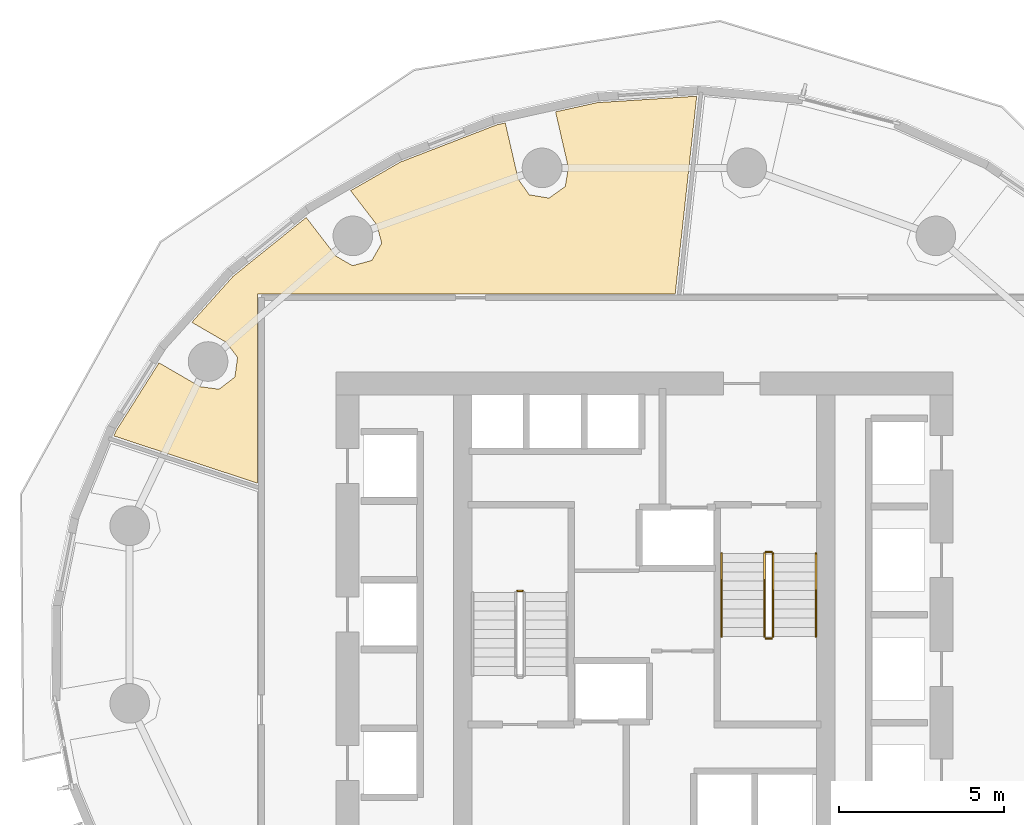
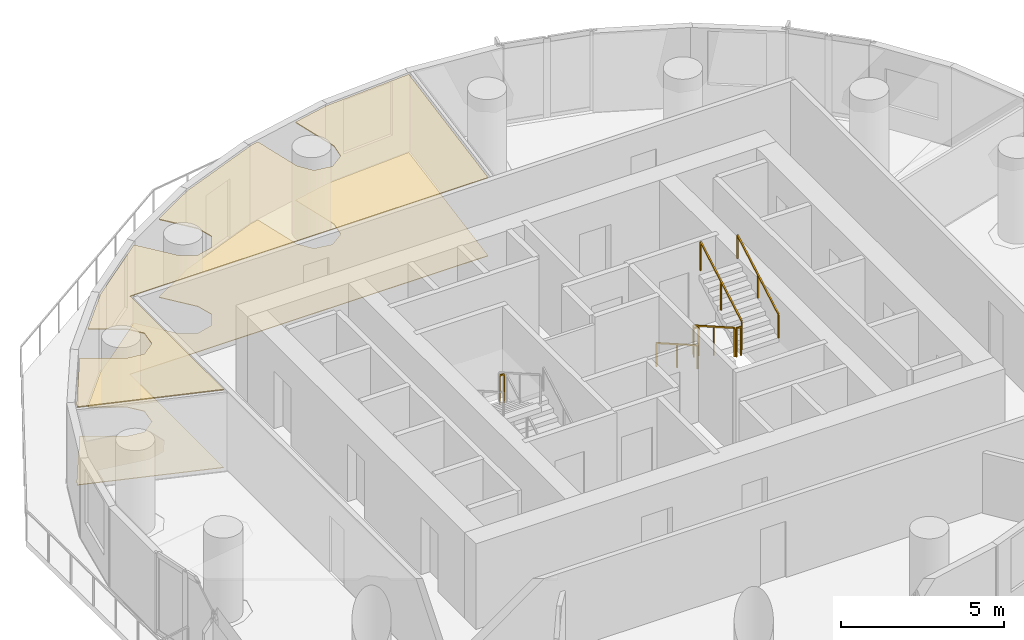
# One storey, part 9 of 10: 7 railings, 2 coverings.
"""IFC4 building model written with IfcOpenShell, lengths in metres."""

from ifc_helpers import new_model, si_unit, direction, frame, origin, origin_2d, place, context, subcontext, project, spatial, polyline, rectangle, outline, extrude, material, layer, layer_set, type_object, element, save


model = new_model("IFC4")

# Units and contexts
model_context = context("Model", 3, precision=1e-05, world=origin(), true_north=direction((0.0, 1.0)))
body_context = subcontext(model_context, "Body", "Model", "MODEL_VIEW")
ifc_project = project(units=[si_unit("LENGTHUNIT", "METRE"), si_unit("AREAUNIT", "SQUARE_METRE"), si_unit("VOLUMEUNIT", "CUBIC_METRE"), si_unit("PLANEANGLEUNIT", "RADIAN"), si_unit("MASSUNIT", "GRAM", prefix="KILO")], contexts=[model_context])

# Site, building, storey
site_placement = place(None, origin())
site = spatial("IfcSite", under=ifc_project, at=site_placement, CompositionType="ELEMENT")
building_placement = place(site_placement, origin())
building = spatial("IfcBuilding", under=site, at=building_placement, Name="Veldorim Arch Residences", CompositionType="ELEMENT")
storey_placement = place(building_placement, frame((0.0, 0.0, 70.8798828125)))
storey = spatial("IfcBuildingStorey", under=building, at=storey_placement, Name="L20", CompositionType="ELEMENT", Elevation=70.8798828125)

# Railings
ifc_material_1 = material(Name="Steel S355", Category="steel")
railing_type_1 = type_object("IfcRailingType", Name="Galvanised Steel Stair Safety Guardrail 1100", PredefinedType="GUARDRAIL", material=ifc_material_1)
railing_1_placement = place(storey_placement, frame((28.31005859375, 24.719970703125, 1.60009765625)))
element("IfcRailing", 1, at=railing_1_placement, inside=storey, type_object=railing_type_1, Name="L20 ST-1 stair guard 2", PredefinedType="GUARDRAIL", context=body_context, shape_type="SweptSolid", body=[
    extrude(rectangle(XDim=0.048095703125, YDim=0.048095703125, at=origin_2d()), frame((0.0, 0.0, 1.076171875), z_axis=(-1.0, 0.0, 0.0), x_axis=(0.0, -1.0, 0.0)), (0.0, 0.0, 1.0), 0.16015625),
    extrude(rectangle(XDim=0.0419921875, YDim=0.0419921875, at=origin_2d()), origin(), (0.0, 0.0, 1.0), 1.052001953125),
    extrude(rectangle(XDim=0.0419921875, YDim=0.0419921875, at=origin_2d()), frame((-0.16015625, 0.0, 0.0)), (0.0, 0.0, 1.0), 1.052001953125),
])
railing_2_placement = place(storey_placement, frame((35.639892578125, 25.85009765625, 0.16015625)))
element("IfcRailing", 2, at=railing_2_placement, inside=storey, type_object=railing_type_1, Name="L20 ST-2 stair guard 1", PredefinedType="GUARDRAIL", context=body_context, shape_type="SweptSolid", body=[
    extrude(rectangle(XDim=0.048095703125, YDim=0.048095703125, at=origin_2d()), frame((0.0, 0.0, 1.076171875), z_axis=(0.0, -0.868253494771, 0.496120820787), x_axis=(1.0, 0.0, 0.0)), (0.0, 0.0, 1.0), 2.90234375),
    extrude(rectangle(XDim=0.0419921875, YDim=0.0419921875, at=origin_2d()), origin(), (0.0, 0.0, 1.0), 1.052001953125),
    extrude(rectangle(XDim=0.0419921875, YDim=0.0419921875, at=origin_2d()), frame((0.0, -1.260009765625, 0.719970703125)), (0.0, 0.0, 1.0), 1.052001953125),
    extrude(rectangle(XDim=0.0419921875, YDim=0.0419921875, at=origin_2d()), frame((0.0, -2.52001953125, 1.43994140625)), (0.0, 0.0, 1.0), 1.052001953125),
])
railing_3_placement = place(storey_placement, frame((35.68994140625, 23.280029296875, 1.60009765625)))
element("IfcRailing", 3, at=railing_3_placement, inside=storey, type_object=railing_type_1, Name="L20 ST-2 stair guard 2", PredefinedType="GUARDRAIL", context=body_context, shape_type="SweptSolid", body=[
    extrude(rectangle(XDim=0.048095703125, YDim=0.048095703125, at=origin_2d()), frame((0.0, 0.0, 1.076171875), z_axis=(1.0, 0.0, 0.0), x_axis=(0.0, 1.0, 0.0)), (0.0, 0.0, 1.0), 0.16015625),
    extrude(rectangle(XDim=0.0419921875, YDim=0.0419921875, at=origin_2d()), origin(), (0.0, 0.0, 1.0), 1.052001953125),
    extrude(rectangle(XDim=0.0419921875, YDim=0.0419921875, at=origin_2d()), frame((0.16015625, 0.0, 0.0)), (0.0, 0.0, 1.0), 1.052001953125),
])
railing_4_placement = place(storey_placement, frame((35.89990234375, 23.330078125, 1.760009765625)))
element("IfcRailing", 4, at=railing_4_placement, inside=storey, type_object=railing_type_1, Name="L20 ST-2 stair guard 3", PredefinedType="GUARDRAIL", context=body_context, shape_type="SweptSolid", body=[
    extrude(rectangle(XDim=0.048095703125, YDim=0.048095703125, at=origin_2d()), frame((0.0, 0.0, 1.076171875), z_axis=(0.0, 0.868217259934, 0.496184229447), x_axis=(-1.0, 0.0, 0.0)), (0.0, 0.0, 1.0), 2.902587890625),
    extrude(rectangle(XDim=0.0419921875, YDim=0.0419921875, at=origin_2d()), origin(), (0.0, 0.0, 1.0), 1.052001953125),
    extrude(rectangle(XDim=0.0419921875, YDim=0.0419921875, at=origin_2d()), frame((0.0, 1.260009765625, 0.72021484375)), (0.0, 0.0, 1.0), 1.052001953125),
    extrude(rectangle(XDim=0.0419921875, YDim=0.0419921875, at=origin_2d()), frame((0.0, 2.52001953125, 1.440185546875)), (0.0, 0.0, 1.0), 1.052001953125),
])
railing_5_placement = place(storey_placement, frame((35.68994140625, 25.89990234375, 0.0)))
element("IfcRailing", 5, at=railing_5_placement, inside=storey, type_object=railing_type_1, Name="L20 ST-2 stair guard 4", PredefinedType="GUARDRAIL", context=body_context, shape_type="SweptSolid", body=[
    extrude(rectangle(XDim=0.048095703125, YDim=0.048095703125, at=origin_2d()), frame((0.0, 0.0, 1.076171875), z_axis=(1.0, 0.0, 0.0), x_axis=(0.0, 1.0, 0.0)), (0.0, 0.0, 1.0), 0.16015625),
    extrude(rectangle(XDim=0.0419921875, YDim=0.0419921875, at=origin_2d()), origin(), (0.0, 0.0, 1.0), 1.052001953125),
    extrude(rectangle(XDim=0.0419921875, YDim=0.0419921875, at=origin_2d()), frame((0.16015625, 0.0, 0.0)), (0.0, 0.0, 1.0), 1.052001953125),
])

# Coverings
ifc_material_2 = material(Name="Acoustic Gypsum & Mineral Fibre", Category="gypsum")
ifc_layer_1 = layer(ifc_material_2, 0.034912109375, Name="Perforated Acoustic Mineral-Fibre Ceiling 35")
ifc_layer_set_1 = layer_set([ifc_layer_1], Name="Acoustic Gypsum & Mineral Fibre")
covering_type_1 = type_object("IfcCoveringType", Name="Perforated Acoustic Mineral-Fibre Ceiling 35", PredefinedType="CEILING", material=ifc_layer_set_1)
covering_1_placement = place(storey_placement, frame((0.0, 0.0, 2.905029296875)))
element("IfcCovering", 6, at=covering_1_placement, inside=storey, type_object=covering_type_1, Name="L20 acoustic suspended ceiling 02", PredefinedType="CEILING", context=body_context, shape_type="SweptSolid", body=[
    extrude(outline(polyline([(18.538818359375, 30.90478515625), (19.1123046875, 30.828369140625), (19.5927734375, 31.1953125), (19.672607421875, 31.794677734375), (19.3212890625, 32.25439453125), (18.287353515625, 32.85400390625), (19.54052734375, 34.25048828125), (21.7529296875, 36.03173828125), (22.654296875, 34.860595703125), (23.156005859375, 34.572021484375), (23.73974609375, 34.7294921875), (24.041259765625, 35.253662109375), (23.890380859375, 35.812255859375), (23.09716796875, 36.843017578125), (24.606689453125, 37.7109375), (27.520263671875, 38.837646484375), (27.785888671875, 38.896240234375), (28.1767578125, 37.191162109375), (28.511962890625, 36.719482421875), (29.108154296875, 36.61865234375), (29.600830078125, 36.968994140625), (29.697265625, 37.53955078125), (29.30908203125, 39.23291015625), (30.570556640625, 39.511474609375), (33.585693359375, 39.70654296875), (32.935302734375, 33.719970703125), (20.280029296875, 33.719970703125), (20.280029296875, 27.979736328125), (15.927001953125, 29.410888671875), (15.985595703125, 29.555419921875), (17.29248046875, 31.627685546875), (18.538818359375, 30.90478515625)])), origin(), (0.0, 0.0, 1.0), 0.03515625),
])
ifc_material_3 = material(Name="Porcelain Ceramic Tile", Category="ceramic")
ifc_layer_2 = layer(ifc_material_3, 0.02001953125, Name="Slip-Resistant Porcelain & Vinyl Floor Finish 20")
ifc_layer_set_2 = layer_set([ifc_layer_2], Name="Porcelain Ceramic Tile")
covering_type_2 = type_object("IfcCoveringType", Name="Slip-Resistant Porcelain & Vinyl Floor Finish 20", PredefinedType="FLOORING", material=ifc_layer_set_2)
covering_2_placement = place(storey_placement, origin())
element("IfcCovering", 7, at=covering_2_placement, inside=storey, type_object=covering_type_2, Name="L20 porcelain floor finish 02", PredefinedType="FLOORING", context=body_context, shape_type="SweptSolid", body=[
    extrude(outline(polyline([(18.538818359375, 30.90478515625), (19.1123046875, 30.828369140625), (19.5927734375, 31.1953125), (19.672607421875, 31.794677734375), (19.3212890625, 32.25439453125), (18.287353515625, 32.85400390625), (19.54052734375, 34.25048828125), (21.7529296875, 36.03173828125), (22.654296875, 34.860595703125), (23.156005859375, 34.572021484375), (23.73974609375, 34.7294921875), (24.041259765625, 35.253662109375), (23.890380859375, 35.812255859375), (23.09716796875, 36.843017578125), (24.606689453125, 37.7109375), (27.520263671875, 38.837646484375), (27.785888671875, 38.896240234375), (28.1767578125, 37.191162109375), (28.511962890625, 36.719482421875), (29.108154296875, 36.61865234375), (29.600830078125, 36.968994140625), (29.697265625, 37.53955078125), (29.30908203125, 39.23291015625), (30.570556640625, 39.511474609375), (33.585693359375, 39.70654296875), (32.935302734375, 33.719970703125), (20.280029296875, 33.719970703125), (20.280029296875, 27.979736328125), (15.927001953125, 29.410888671875), (15.985595703125, 29.555419921875), (17.29248046875, 31.627685546875), (18.538818359375, 30.90478515625)])), origin(), (0.0, 0.0, 1.0), 0.02001953125),
])

# Railings
ifc_material_4 = material(Name="Stainless Steel", Category="steel")
railing_type_2 = type_object("IfcRailingType", Name="Tubular Steel Continuous Wall Handrail 900", PredefinedType="HANDRAIL", material=ifc_material_4)
railing_6_placement = place(storey_placement, frame((34.340087890625, 25.85009765625, 0.16015625)))
element("IfcRailing", 8, at=railing_6_placement, inside=storey, type_object=railing_type_2, Name="L20 ST-2 stair handrail 1", PredefinedType="HANDRAIL", context=body_context, shape_type="SweptSolid", body=[
    extrude(rectangle(XDim=0.048095703125, YDim=0.048095703125, at=origin_2d()), frame((0.0, 0.0, 0.8759765625), z_axis=(0.0, -0.868253494771, 0.496120820787), x_axis=(1.0, 0.0, 0.0)), (0.0, 0.0, 1.0), 2.90234375),
    extrude(rectangle(XDim=0.0419921875, YDim=0.0419921875, at=origin_2d()), origin(), (0.0, 0.0, 1.0), 0.851806640625),
    extrude(rectangle(XDim=0.0419921875, YDim=0.0419921875, at=origin_2d()), frame((0.0, -1.260009765625, 0.719970703125)), (0.0, 0.0, 1.0), 0.851806640625),
    extrude(rectangle(XDim=0.0419921875, YDim=0.0419921875, at=origin_2d()), frame((0.0, -2.52001953125, 1.43994140625)), (0.0, 0.0, 1.0), 0.851806640625),
])
railing_7_placement = place(storey_placement, frame((37.199951171875, 23.330078125, 1.760009765625)))
element("IfcRailing", 9, at=railing_7_placement, inside=storey, type_object=railing_type_2, Name="L20 ST-2 stair handrail 2", PredefinedType="HANDRAIL", context=body_context, shape_type="SweptSolid", body=[
    extrude(rectangle(XDim=0.048095703125, YDim=0.048095703125, at=origin_2d()), frame((0.0, 0.0, 0.8759765625), z_axis=(0.0, 0.868217259934, 0.496184229447), x_axis=(-1.0, 0.0, 0.0)), (0.0, 0.0, 1.0), 2.902587890625),
    extrude(rectangle(XDim=0.0419921875, YDim=0.0419921875, at=origin_2d()), origin(), (0.0, 0.0, 1.0), 0.851806640625),
    extrude(rectangle(XDim=0.0419921875, YDim=0.0419921875, at=origin_2d()), frame((0.0, 1.260009765625, 0.72021484375)), (0.0, 0.0, 1.0), 0.851806640625),
    extrude(rectangle(XDim=0.0419921875, YDim=0.0419921875, at=origin_2d()), frame((0.0, 2.52001953125, 1.440185546875)), (0.0, 0.0, 1.0), 0.851806640625),
])

save(model, "model.ifc")
